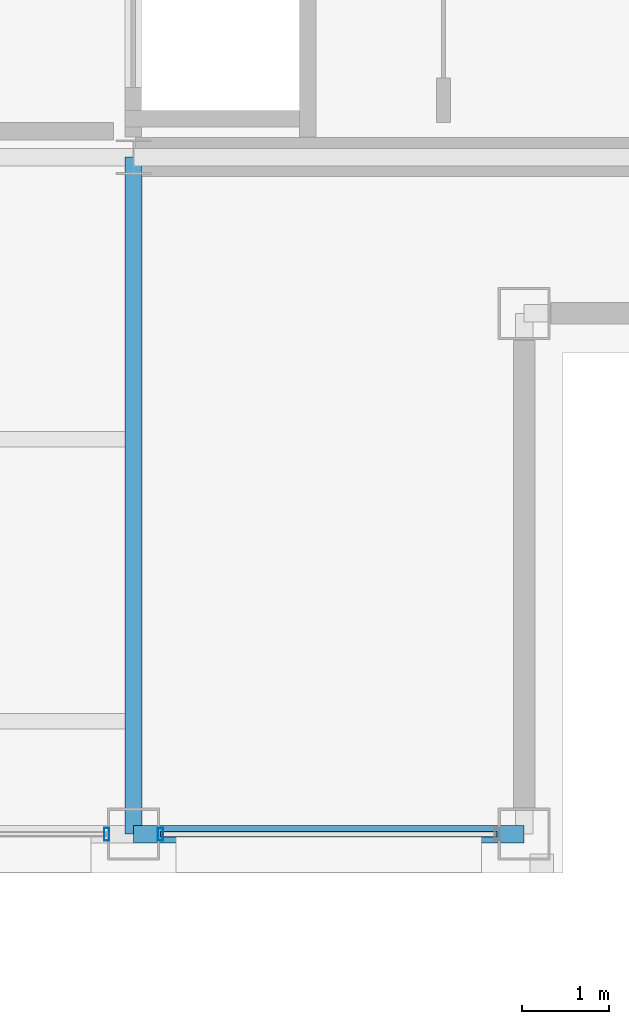
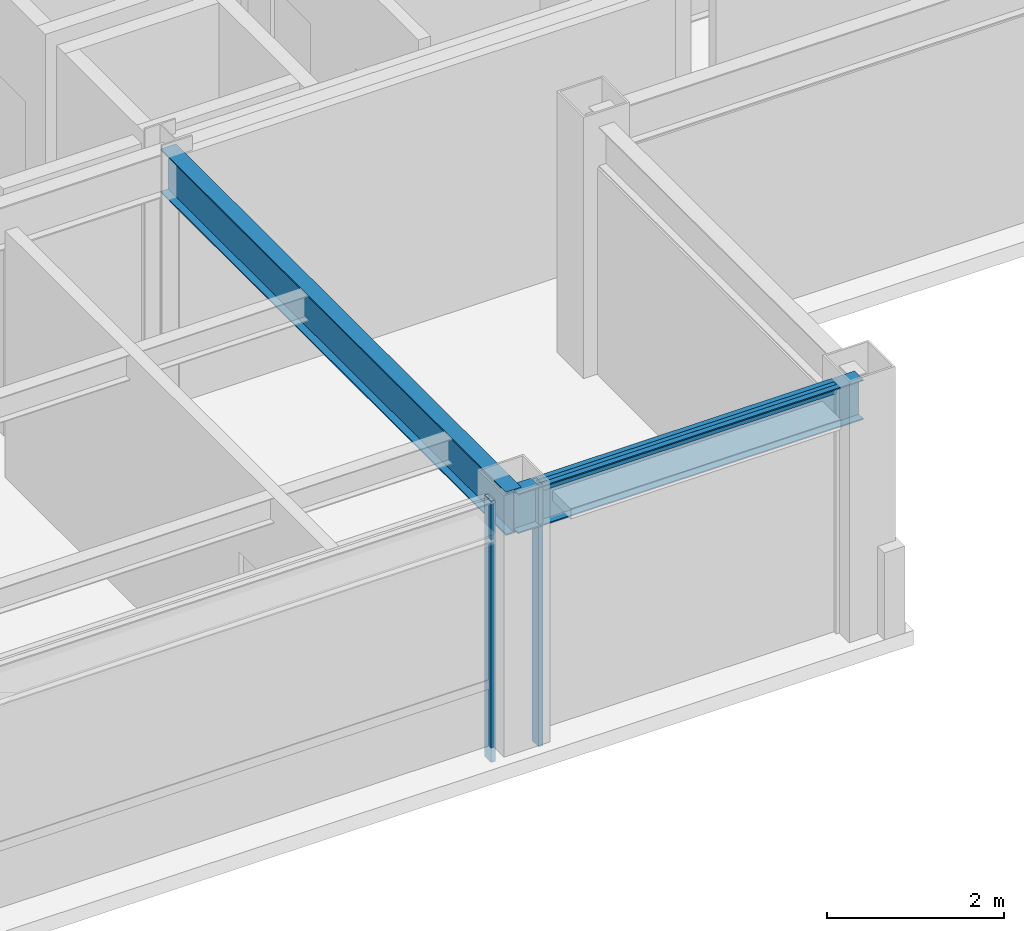
# One storey, part 7 of 24: 3 members, 2 beams, 2 elements without a shape of their own.
"""IFC4 building model written with IfcOpenShell, lengths in metres."""

from ifc_helpers import new_model, si_unit, direction, frame, origin, origin_2d, place, context, subcontext, project, spatial, hollow_rectangle, i_section, extrude, material, layer, layer_set, material_profile, profile_set, type_object, element, aggregate, save


model = new_model("IFC4")

# Units and contexts
model_context = context("Model", 3, precision=1e-05, world=origin(), true_north=direction((0.0, 1.0)))
body_context = subcontext(model_context, "Body", "Model", "MODEL_VIEW")
ifc_project = project(units=[si_unit("LENGTHUNIT", "METRE"), si_unit("AREAUNIT", "SQUARE_METRE"), si_unit("VOLUMEUNIT", "CUBIC_METRE"), si_unit("PLANEANGLEUNIT", "RADIAN"), si_unit("MASSUNIT", "GRAM", prefix="KILO")], contexts=[model_context])

# Site, building, storey
site_placement = place(None, origin())
site = spatial("IfcSite", under=ifc_project, at=site_placement, CompositionType="ELEMENT")
building_placement = place(site_placement, origin())
building = spatial("IfcBuilding", under=site, at=building_placement, Name="Brelmoor Portico Tower", CompositionType="ELEMENT")
storey_placement = place(building_placement, frame((0.0, 0.0, 254.39990234375)))
storey = spatial("IfcBuildingStorey", under=building, at=storey_placement, Name="L67", CompositionType="ELEMENT", Elevation=254.39990234375)

# Beams
ifc_material_1 = material(Name="Steel Q355B", Category="steel")
ifc_material_profile_1 = material_profile(ifc_material_1, i_section(OverallWidth=0.199951171875, OverallDepth=0.60009765625, WebThickness=0.010986328125, FlangeThickness=0.01708984375, at=origin_2d()), Name="HN 600x200x11x17")
ifc_profile_set_1 = profile_set([ifc_material_profile_1], Name="Steel Q355B")
beam_type_1 = type_object("IfcBeamType", Name="BM-PG-600", PredefinedType="BEAM", material=ifc_profile_set_1)
beam_1_placement = place(storey_placement, frame((8.050048828125, -17.550048828125, 3.10009765625), z_axis=(0.0, 1.0, 0.0), x_axis=(-1.0, 0.0, 0.0)))
element("IfcBeam", 1, at=beam_1_placement, inside=storey, type_object=beam_type_1, Name="L67 Primary Floor Girder PG-06", PredefinedType="BEAM", context=body_context, shape_type="SweptSolid", body=[
    extrude(i_section(OverallWidth=0.199951171875, OverallDepth=0.60009765625, WebThickness=0.010986328125, FlangeThickness=0.01708984375, at=origin_2d()), origin(), (0.0, 0.0, 1.0), 7.800048828125),
])
ifc_material_profile_2 = material_profile(ifc_material_1, i_section(OverallWidth=0.199951171875, OverallDepth=0.550048828125, WebThickness=0.010009765625, FlangeThickness=0.01611328125, at=origin_2d()), Name="HN 550x200x10x16")
ifc_profile_set_2 = profile_set([ifc_material_profile_2], Name="Steel Q355B")
beam_type_2 = type_object("IfcBeamType", Name="BM-SP-550", PredefinedType="SPANDREL", material=ifc_profile_set_2)
beam_2_placement = place(storey_placement, frame((8.050048828125, -17.550048828125, 3.125), z_axis=(1.0, 0.0, 0.0), x_axis=(0.0, 1.0, 0.0)))
element("IfcBeam", 2, at=beam_2_placement, inside=storey, type_object=beam_type_2, Name="L67 Perimeter Spandrel Beam SP-03", PredefinedType="SPANDREL", context=body_context, shape_type="SweptSolid", body=[
    extrude(i_section(OverallWidth=0.199951171875, OverallDepth=0.550048828125, WebThickness=0.010009765625, FlangeThickness=0.01611328125, at=origin_2d()), origin(), (0.0, 0.0, 1.0), 4.5),
])

# Curtain wall, member
ifc_material_2 = material(Name="Anodised Aluminium Alloy 6063-T6", Category="aluminium")
ifc_layer_1 = layer(ifc_material_2, 0.179931640625)
ifc_layer_set_1 = layer_set([ifc_layer_1], Name="Anodised Aluminium Alloy 6063-T6")
curtain_wall_type_1 = type_object("IfcCurtainWallType", Name="CW-TOWER-Z4", PredefinedType="NOTDEFINED", material=ifc_layer_set_1)
curtain_wall_1_placement = place(storey_placement, origin())
curtain_wall_1 = element("IfcCurtainWall", 3, at=curtain_wall_1_placement, inside=storey, type_object=curtain_wall_type_1, Name="L67 Curtain Wall CW-L67-1R-1", PredefinedType="NOTDEFINED")
ifc_material_profile_3 = material_profile(ifc_material_2, hollow_rectangle(XDim=0.06005859375, YDim=0.14990234375, WallThickness=0.00390625, at=origin_2d()), Name="ALU MULLION 60x150")
ifc_profile_set_3 = profile_set([ifc_material_profile_3], Name="Anodised Aluminium Alloy 6063-T6")
member_type_1 = type_object("IfcMemberType", Name="MB-CW-MULL-150", PredefinedType="MULLION", material=ifc_profile_set_3)
member_1_placement = place(storey_placement, frame((7.739990234375, -17.550048828125, -0.199951171875), z_axis=(0.0, 0.0, 1.0), x_axis=(1.0, 0.0, 0.0)))
member_1 = element("IfcMember", 4, at=member_1_placement, type_object=member_type_1, Name="CW-L67-1R-1 Mullion 01", PredefinedType="MULLION", context=body_context, shape_type="SweptSolid", body=[
    extrude(hollow_rectangle(XDim=0.06005859375, YDim=0.14990234375, WallThickness=0.00390625, at=origin_2d()), origin(), (0.0, 0.0, 1.0), 3.60009765625),
])
aggregate(curtain_wall_1, [member_1])

# Curtain wall, members
ifc_layer_2 = layer(ifc_material_2, 0.179931640625)
ifc_layer_set_2 = layer_set([ifc_layer_2], Name="Anodised Aluminium Alloy 6063-T6")
curtain_wall_type_2 = type_object("IfcCurtainWallType", Name="CW-TOWER-Z4-XB", PredefinedType="NOTDEFINED", material=ifc_layer_set_2)
curtain_wall_2_placement = place(storey_placement, origin())
curtain_wall_2 = element("IfcCurtainWall", 5, at=curtain_wall_2_placement, inside=storey, type_object=curtain_wall_type_2, Name="L67 Curtain Wall CW-L67-1R-2", PredefinedType="NOTDEFINED")
member_2_placement = place(storey_placement, frame((8.360107421875, -17.550048828125, -0.199951171875), z_axis=(0.0, 0.0, 1.0), x_axis=(1.0, 0.0, 0.0)))
member_2 = element("IfcMember", 6, at=member_2_placement, type_object=member_type_1, Name="CW-L67-1R-2 Mullion 00", PredefinedType="MULLION", context=body_context, shape_type="SweptSolid", body=[
    extrude(hollow_rectangle(XDim=0.06005859375, YDim=0.14990234375, WallThickness=0.00390625, at=origin_2d()), origin(), (0.0, 0.0, 1.0), 3.60009765625),
])
ifc_material_profile_4 = material_profile(ifc_material_2, hollow_rectangle(XDim=0.06005859375, YDim=0.125, WallThickness=0.00341796875, at=origin_2d()), Name="ALU TRANSOM 60x125")
ifc_profile_set_4 = profile_set([ifc_material_profile_4], Name="Anodised Aluminium Alloy 6063-T6")
member_type_2 = type_object("IfcMemberType", Name="MB-CW-TRAN-125", PredefinedType="USERDEFINED", material=ifc_profile_set_4)
member_3_placement = place(storey_placement, frame((8.360107421875, -17.550048828125, 3.337646484375), z_axis=(1.0, 0.0, 0.0), x_axis=(0.0, 1.0, 0.0)))
member_3 = element("IfcMember", 7, at=member_3_placement, type_object=member_type_2, Name="CW-L67-1R-2 Transom 1-00", ObjectType="TRANSOM", PredefinedType="USERDEFINED", context=body_context, shape_type="SweptSolid", body=[
    extrude(hollow_rectangle(XDim=0.06005859375, YDim=0.125, WallThickness=0.00341796875, at=origin_2d()), origin(), (0.0, 0.0, 1.0), 3.8798828125),
])
aggregate(curtain_wall_2, [member_2, member_3])

save(model, "model.ifc")
